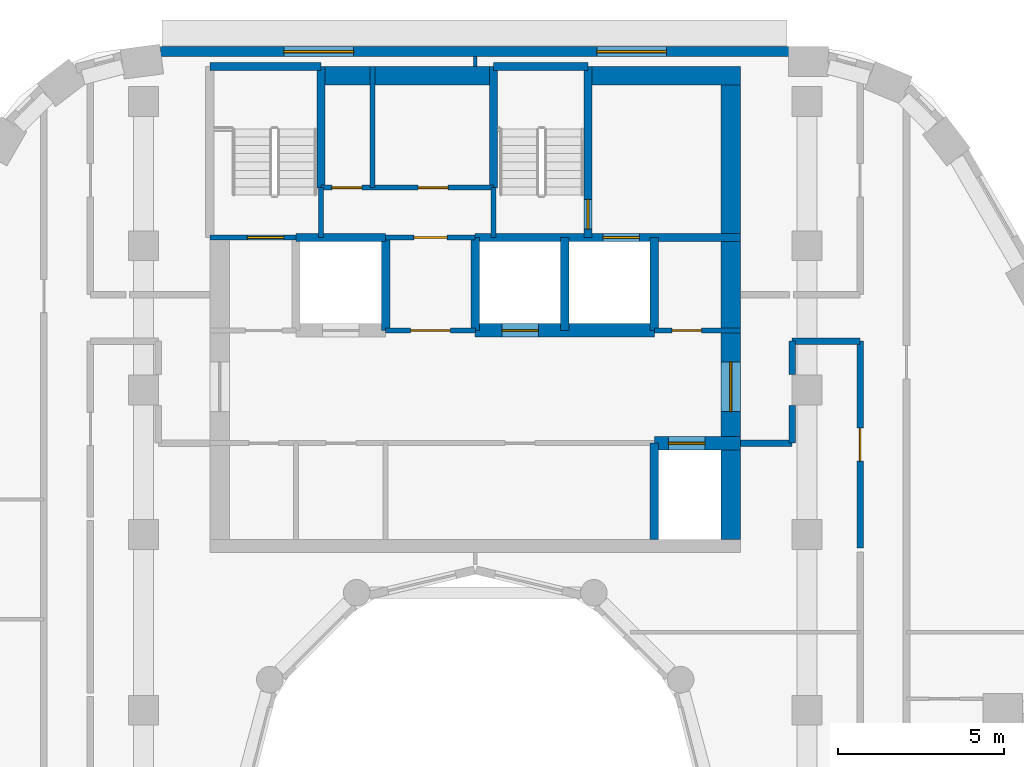
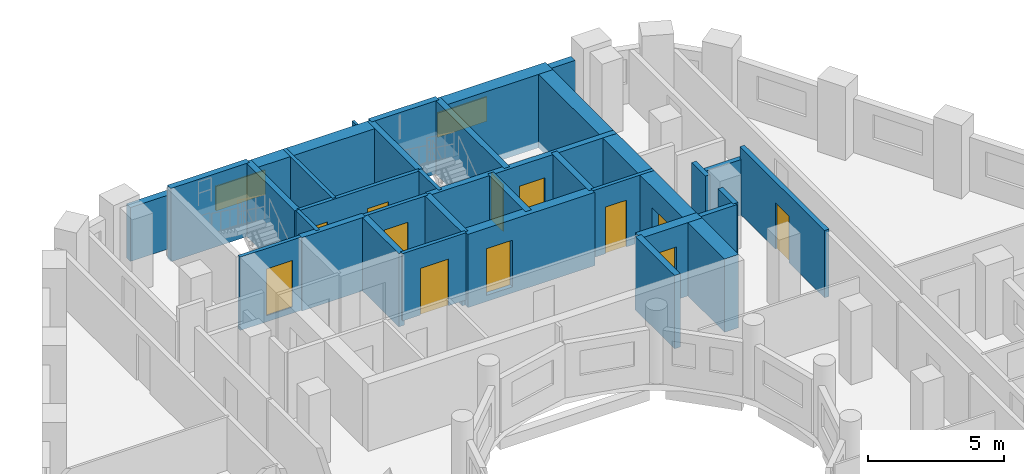
# One storey, part 8 of 15: 32 walls, 12 doors, 2 windows, 14 openings.
"""IFC4 building model written with IfcOpenShell, lengths in metres."""

from ifc_helpers import new_model, si_unit, direction, frame, frame_2d, origin, place, context, subcontext, project, spatial, rectangle, extrude, material, layer, layer_set, type_object, element, fill, save


model = new_model("IFC4")

# Units and contexts
model_context = context("Model", 3, precision=1e-05, world=origin(), true_north=direction((0.0, 1.0)))
body_context = subcontext(model_context, "Body", "Model", "MODEL_VIEW")
ifc_project = project(units=[si_unit("LENGTHUNIT", "METRE"), si_unit("AREAUNIT", "SQUARE_METRE"), si_unit("VOLUMEUNIT", "CUBIC_METRE"), si_unit("PLANEANGLEUNIT", "RADIAN"), si_unit("MASSUNIT", "GRAM", prefix="KILO")], contexts=[model_context])

# Site, building, storey
site_placement = place(None, origin())
site = spatial("IfcSite", under=ifc_project, at=site_placement, CompositionType="ELEMENT")
building_placement = place(site_placement, origin())
building = spatial("IfcBuilding", under=site, at=building_placement, Name="Nakaniwa Court", CompositionType="ELEMENT")
storey_placement = place(building_placement, frame((0.0, 0.0, 189.89990234375)))
storey = spatial("IfcBuildingStorey", under=building, at=storey_placement, Name="L49", CompositionType="ELEMENT", Elevation=189.89990234375)

# Wall, opening, door
ifc_material_1 = material(Name="Acoustic double stud partition")
ifc_layer_1 = layer(ifc_material_1, 0.199951171875)
ifc_layer_set_1 = layer_set([ifc_layer_1], Name="Acoustic double stud partition")
wall_type_1 = type_object("IfcWallType", Name="Acoustic double stud partition 200", PredefinedType="PARTITIONING", material=ifc_layer_set_1)
wall_1_placement = place(storey_placement, frame((91.60009765625, 87.537109375, 0.0), z_axis=(0.0, 0.0, 1.0), x_axis=(0.0, 1.0, 0.0)))
wall_1 = element("IfcWall", 1, at=wall_1_placement, inside=storey, type_object=wall_type_1, Name="Partition PW-072", PredefinedType="PARTITIONING", context=body_context, shape_type="SweptSolid", body=[
    extrude(rectangle(XDim=6.23779296875, YDim=0.199951171875, at=frame_2d((3.118896484375, 0.0))), origin(), (0.0, 0.0, 1.0), 3.025146484375),
])
opening_1_placement = place(wall_1_placement, frame((2.6201171875, 0.0, 0.0)))
opening_1 = element("IfcOpeningElement", 2, at=opening_1_placement, cuts=wall_1, Name="Opening D-02-08", PredefinedType="OPENING", context=body_context, shape_type="SweptSolid", body=[
    extrude(rectangle(XDim=1.0, YDim=2.10009765625, at=frame_2d((0.5, 1.050048828125))), frame((0.0, 0.10986328125, 0.0), z_axis=(0.0, -1.0, 0.0), x_axis=(1.0, 0.0, 0.0)), (0.0, 0.0, 1.0), 0.219970703125),
])
ifc_material_2 = material(Name="Solid core timber door set, black veneer", Category="wood")
door_type_1 = type_object("IfcDoorType", Name="Internal door 1000", OperationType="NOTDEFINED", PredefinedType="DOOR", material=ifc_material_2)
door_1_placement = place(opening_1_placement, origin())
door_1 = element("IfcDoor", 3, at=door_1_placement, inside=storey, type_object=door_type_1, Name="Door D-02-08 L49-048", OperationType="SINGLE_SWING_LEFT", OverallHeight=2.10009765625, OverallWidth=1.0, PredefinedType="DOOR", context=body_context, shape_type="SweptSolid", body=[
    extrude(rectangle(XDim=1.0, YDim=2.10009765625, at=frame_2d((0.5, 1.050048828125))), frame((0.0, 0.02490234375, 0.0), z_axis=(0.0, -1.0, 0.0), x_axis=(1.0, 0.0, 0.0)), (0.0, 0.0, 1.0), 0.050048828125),
])
fill(opening_1, door_1)

# Walls
wall_2_placement = place(storey_placement, frame((89.550048828125, 90.699951171875, 0.0), z_axis=(0.0, 0.0, 1.0), x_axis=(0.0, 1.0, 0.0)))
element("IfcWall", 4, at=wall_2_placement, inside=storey, type_object=wall_type_1, Name="Partition PW-083", PredefinedType="PARTITIONING", context=body_context, shape_type="SweptSolid", body=[
    extrude(rectangle(XDim=1.1328125, YDim=0.199951171875, at=frame_2d((0.56640625, 0.0))), origin(), (0.0, 0.0, 1.0), 3.025146484375),
])
wall_3_placement = place(storey_placement, frame((89.550048828125, 92.76708984375, 0.0), z_axis=(0.0, 0.0, 1.0), x_axis=(0.0, 1.0, 0.0)))
element("IfcWall", 5, at=wall_3_placement, inside=storey, type_object=wall_type_1, Name="Partition PW-084", PredefinedType="PARTITIONING", context=body_context, shape_type="SweptSolid", body=[
    extrude(rectangle(XDim=1.0078125, YDim=0.199951171875, at=frame_2d((0.50390625, 0.0))), origin(), (0.0, 0.0, 1.0), 3.025146484375),
])
wall_4_placement = place(storey_placement, frame((89.550048828125, 93.77490234375, 0.0), z_axis=(0.0, 0.0, 1.0), x_axis=(1.0, 0.0, 0.0)))
element("IfcWall", 6, at=wall_4_placement, inside=storey, type_object=wall_type_1, Name="Partition PW-088", PredefinedType="PARTITIONING", context=body_context, shape_type="SweptSolid", body=[
    extrude(rectangle(XDim=2.050048828125, YDim=0.199951171875, at=frame_2d((1.02490234375, 0.0))), origin(), (0.0, 0.0, 1.0), 2.505126953125),
])
wall_5_placement = place(storey_placement, frame((88.0, 90.699951171875, 0.0), z_axis=(0.0, 0.0, 1.0), x_axis=(1.0, 0.0, 0.0)))
element("IfcWall", 7, at=wall_5_placement, inside=storey, type_object=wall_type_1, Name="Partition PW-090", PredefinedType="PARTITIONING", context=body_context, shape_type="SweptSolid", body=[
    extrude(rectangle(XDim=1.550048828125, YDim=0.199951171875, at=frame_2d((0.77490234375, 0.0))), origin(), (0.0, 0.0, 1.0), 3.025146484375),
])

# Wall, openings, windows
ifc_material_3 = material(Name="Charcoal ceramic cladding")
ifc_layer_2 = layer(ifc_material_3, 0.02, Name="Ceramic cladding")
ifc_material_4 = material(Name="Ventilated air cavity")
ifc_layer_3 = layer(ifc_material_4, 0.04, ventilated=True, Name="Ventilated cavity")
ifc_material_5 = material(Name="Mineral wool insulation")
ifc_layer_4 = layer(ifc_material_5, 0.1, Name="Insulation")
ifc_material_6 = material(Name="Cement bonded sheathing board")
ifc_layer_5 = layer(ifc_material_6, 0.012, Name="Sheathing")
ifc_material_7 = material(Name="Cold-formed galvanised stud frame with mineral wool infill")
ifc_layer_6 = layer(ifc_material_7, 0.1, Name="Stud frame")
ifc_material_8 = material(Name="Fire-rated gypsum plasterboard lining")
ifc_layer_7 = layer(ifc_material_8, 0.028, Name="Lining")
ifc_layer_set_2 = layer_set([ifc_layer_2, ifc_layer_3, ifc_layer_4, ifc_layer_5, ifc_layer_6, ifc_layer_7], Name="Charcoal ceramic faced external wall system")
wall_type_2 = type_object("IfcWallType", Name="Black ceramic faced external wall 300", PredefinedType="SOLIDWALL", material=ifc_layer_set_2)
wall_6_placement = place(storey_placement, frame((89.44921875, 102.5, 0.0), z_axis=(0.0, 0.0, 1.0), x_axis=(-1.0, 0.0, 0.0)))
wall_6 = element("IfcWall", 8, at=wall_6_placement, inside=storey, type_object=wall_type_2, Name="L49 external wall 08", PredefinedType="SOLIDWALL", context=body_context, shape_type="SweptSolid", body=[
    extrude(rectangle(XDim=18.932861328125, YDim=0.300048828125, at=frame_2d((9.46630859375, 0.0))), origin(), (0.0, 0.0, 1.0), 2.425048828125),
])
opening_2_placement = place(wall_6_placement, frame((3.6865234375, 0.0, 0.89990234375)))
opening_2 = element("IfcOpeningElement", 9, at=opening_2_placement, cuts=wall_6, Name="Opening W7.08", PredefinedType="OPENING", context=body_context, shape_type="SweptSolid", body=[
    extrude(rectangle(XDim=2.10009765625, YDim=1.10009765625, at=frame_2d((1.050048828125, 0.550048828125))), frame((0.0, 0.159912109375, 0.0), z_axis=(0.0, -1.0, 0.0), x_axis=(1.0, 0.0, 0.0)), (0.0, 0.0, 1.0), 0.320068359375),
])
opening_3_placement = place(wall_6_placement, frame((13.117919921875, 0.0, 0.89990234375)))
opening_3 = element("IfcOpeningElement", 10, at=opening_3_placement, cuts=wall_6, Name="Opening W7.09", PredefinedType="OPENING", context=body_context, shape_type="SweptSolid", body=[
    extrude(rectangle(XDim=2.10009765625, YDim=1.10009765625, at=frame_2d((1.050048828125, 0.550048828125))), frame((0.0, 0.159912109375, 0.0), z_axis=(0.0, -1.0, 0.0), x_axis=(1.0, 0.0, 0.0)), (0.0, 0.0, 1.0), 0.320068359375),
])
ifc_material_9 = material(Name="Black anodised aluminium frame with dark low-E laminated double glazing", Category="aluminium")
window_type = type_object("IfcWindowType", Name="Dark glass window 2100x1100 sill 900", PartitioningType="SINGLE_PANEL", PredefinedType="WINDOW", material=ifc_material_9)
window_1_placement = place(opening_2_placement, origin())
window_1 = element("IfcWindow", 11, at=window_1_placement, inside=storey, type_object=window_type, Name="L49 habitable room window 08-0", OverallHeight=1.10009765625, OverallWidth=2.10009765625, PartitioningType="SINGLE_PANEL", PredefinedType="WINDOW", context=body_context, shape_type="SweptSolid", body=[
    extrude(rectangle(XDim=2.10009765625, YDim=1.10009765625, at=frame_2d((1.050048828125, 0.550048828125))), frame((0.0, 0.030029296875, 0.0), z_axis=(0.0, -1.0, 0.0), x_axis=(1.0, 0.0, 0.0)), (0.0, 0.0, 1.0), 0.06005859375),
])
fill(opening_2, window_1)
window_2_placement = place(opening_3_placement, origin())
window_2 = element("IfcWindow", 12, at=window_2_placement, inside=storey, type_object=window_type, Name="L49 habitable room window 08-1", OverallHeight=1.10009765625, OverallWidth=2.10009765625, PartitioningType="SINGLE_PANEL", PredefinedType="WINDOW", context=body_context, shape_type="SweptSolid", body=[
    extrude(rectangle(XDim=2.10009765625, YDim=1.10009765625, at=frame_2d((1.050048828125, 0.550048828125))), frame((0.0, 0.030029296875, 0.0), z_axis=(0.0, -1.0, 0.0), x_axis=(1.0, 0.0, 0.0)), (0.0, 0.0, 1.0), 0.06005859375),
])
fill(opening_3, window_2)

# Wall, opening, door
ifc_material_10 = material(Name="Blockwork partition", Category="masonry")
ifc_layer_8 = layer(ifc_material_10, 0.14990234375)
ifc_layer_set_3 = layer_set([ifc_layer_8], Name="Blockwork partition")
wall_type_3 = type_object("IfcWallType", Name="Blockwork partition 150", PredefinedType="PARTITIONING", material=ifc_layer_set_3)
wall_7_placement = place(storey_placement, frame((77.297119140625, 94.10009765625, 0.0), z_axis=(0.0, 0.0, 1.0), x_axis=(1.0, 0.0, 0.0)))
wall_7 = element("IfcWall", 13, at=wall_7_placement, inside=storey, type_object=wall_type_3, Name="Partition PW-010", PredefinedType="PARTITIONING", context=body_context, shape_type="SweptSolid", body=[
    extrude(rectangle(XDim=2.705810546875, YDim=0.14990234375, at=frame_2d((1.35302734375, 0.0))), origin(), (0.0, 0.0, 1.0), 3.025146484375),
])
opening_4_placement = place(wall_7_placement, frame((0.7529296875, 0.0, 0.0)))
opening_4 = element("IfcOpeningElement", 14, at=opening_4_placement, cuts=wall_7, Name="Opening D-06-01", PredefinedType="OPENING", context=body_context, shape_type="SweptSolid", body=[
    extrude(rectangle(XDim=1.199951171875, YDim=2.10009765625, at=frame_2d((0.60009765625, 1.050048828125))), frame((0.0, 0.0849609375, 0.0), z_axis=(0.0, -1.0, 0.0), x_axis=(1.0, 0.0, 0.0)), (0.0, 0.0, 1.0), 0.169921875),
])
ifc_material_11 = material(Name="Fire rated steel double door set", Category="steel")
door_type_2 = type_object("IfcDoorType", Name="Service passage double door 1200", OperationType="NOTDEFINED", PredefinedType="DOOR", material=ifc_material_11)
door_2_placement = place(opening_4_placement, origin())
door_2 = element("IfcDoor", 15, at=door_2_placement, inside=storey, type_object=door_type_2, Name="Door D-06-01 L49-005", OperationType="DOUBLE_DOOR_SINGLE_SWING", OverallHeight=2.10009765625, OverallWidth=1.199951171875, PredefinedType="DOOR", context=body_context, shape_type="SweptSolid", body=[
    extrude(rectangle(XDim=1.199951171875, YDim=2.10009765625, at=frame_2d((0.60009765625, 1.050048828125))), frame((0.0, 0.02490234375, 0.0), z_axis=(0.0, -1.0, 0.0), x_axis=(1.0, 0.0, 0.0)), (0.0, 0.0, 1.0), 0.050048828125),
])
fill(opening_4, door_2)

wall_8_placement = place(storey_placement, frame((85.39697265625, 94.10009765625, 0.0), z_axis=(0.0, 0.0, 1.0), x_axis=(1.0, 0.0, 0.0)))
wall_8 = element("IfcWall", 16, at=wall_8_placement, inside=storey, type_object=wall_type_3, Name="Partition PW-011", PredefinedType="PARTITIONING", context=body_context, shape_type="SweptSolid", body=[
    extrude(rectangle(XDim=2.60302734375, YDim=0.14990234375, at=frame_2d((1.301513671875, 0.0))), origin(), (0.0, 0.0, 1.0), 3.025146484375),
])
opening_5_placement = place(wall_8_placement, frame((0.528076171875, 0.0, 0.0)))
opening_5 = element("IfcOpeningElement", 17, at=opening_5_placement, cuts=wall_8, Name="Opening D-05-04", PredefinedType="OPENING", context=body_context, shape_type="SweptSolid", body=[
    extrude(rectangle(XDim=0.89990234375, YDim=2.10009765625, at=frame_2d((0.449951171875, 1.050048828125))), frame((0.0, 0.0849609375, 0.0), z_axis=(0.0, -1.0, 0.0), x_axis=(1.0, 0.0, 0.0)), (0.0, 0.0, 1.0), 0.169921875),
])
ifc_material_12 = material(Name="Fire rated steel door set", Category="steel")
door_type_3 = type_object("IfcDoorType", Name="Service room door 900", OperationType="NOTDEFINED", PredefinedType="DOOR", material=ifc_material_12)
door_3_placement = place(opening_5_placement, origin())
door_3 = element("IfcDoor", 18, at=door_3_placement, inside=storey, type_object=door_type_3, Name="Door D-05-04 L49-006", OperationType="SINGLE_SWING_LEFT", OverallHeight=2.10009765625, OverallWidth=0.89990234375, PredefinedType="DOOR", context=body_context, shape_type="SweptSolid", body=[
    extrude(rectangle(XDim=0.89990234375, YDim=2.10009765625, at=frame_2d((0.449951171875, 1.050048828125))), frame((0.0, 0.02490234375, 0.0), z_axis=(0.0, -1.0, 0.0), x_axis=(1.0, 0.0, 0.0)), (0.0, 0.0, 1.0), 0.050048828125),
])
fill(opening_5, door_3)

wall_9_placement = place(storey_placement, frame((77.300048828125, 96.89990234375, 0.0), z_axis=(0.0, 0.0, 1.0), x_axis=(1.0, 0.0, 0.0)))
wall_9 = element("IfcWall", 19, at=wall_9_placement, inside=storey, type_object=wall_type_3, Name="Partition PW-020", PredefinedType="PARTITIONING", context=body_context, shape_type="SweptSolid", body=[
    extrude(rectangle(XDim=2.699951171875, YDim=0.14990234375, at=frame_2d((1.35009765625, 0.0))), origin(), (0.0, 0.0, 1.0), 3.025146484375),
])
opening_6_placement = place(wall_9_placement, frame((0.85009765625, 0.0, 0.0)))
opening_6 = element("IfcOpeningElement", 20, at=opening_6_placement, cuts=wall_9, Name="Opening D-23-01", PredefinedType="OPENING", context=body_context, shape_type="SweptSolid", body=[
    extrude(rectangle(XDim=1.0, YDim=2.10009765625, at=frame_2d((0.5, 1.050048828125))), frame((0.0, 0.0849609375, 0.0), z_axis=(0.0, -1.0, 0.0), x_axis=(1.0, 0.0, 0.0)), (0.0, 0.0, 1.0), 0.169921875),
])
door_type_4 = type_object("IfcDoorType", Name="Service room door 1000", OperationType="NOTDEFINED", PredefinedType="DOOR", material=ifc_material_12)
door_4_placement = place(opening_6_placement, origin())
door_4 = element("IfcDoor", 21, at=door_4_placement, inside=storey, type_object=door_type_4, Name="Door D-23-01 L49-007", OperationType="SINGLE_SWING_RIGHT", OverallHeight=2.10009765625, OverallWidth=1.0, PredefinedType="DOOR", context=body_context, shape_type="SweptSolid", body=[
    extrude(rectangle(XDim=1.0, YDim=2.10009765625, at=frame_2d((0.5, 1.050048828125))), frame((0.0, 0.02490234375, 0.0), z_axis=(0.0, -1.0, 0.0), x_axis=(1.0, 0.0, 0.0)), (0.0, 0.0, 1.0), 0.050048828125),
])
fill(opening_6, door_4)

# Wall, openings, doors
wall_10_placement = place(storey_placement, frame((75.35009765625, 98.39990234375, 0.0), z_axis=(0.0, 0.0, 1.0), x_axis=(1.0, 0.0, 0.0)))
wall_10 = element("IfcWall", 22, at=wall_10_placement, inside=storey, type_object=wall_type_3, Name="Partition PW-032", PredefinedType="PARTITIONING", context=body_context, shape_type="SweptSolid", body=[
    extrude(rectangle(XDim=5.199951171875, YDim=0.14990234375, at=frame_2d((2.60009765625, 0.0))), origin(), (0.0, 0.0, 1.0), 3.025146484375),
])
opening_7_placement = place(wall_10_placement, frame((0.330078125, 0.0, 0.0)))
opening_7 = element("IfcOpeningElement", 23, at=opening_7_placement, cuts=wall_10, Name="Opening D-05-05", PredefinedType="OPENING", context=body_context, shape_type="SweptSolid", body=[
    extrude(rectangle(XDim=0.89990234375, YDim=2.10009765625, at=frame_2d((0.449951171875, 1.050048828125))), frame((0.0, 0.0849609375, 0.0), z_axis=(0.0, -1.0, 0.0), x_axis=(1.0, 0.0, 0.0)), (0.0, 0.0, 1.0), 0.169921875),
])
opening_8_placement = place(wall_10_placement, frame((2.929931640625, 0.0, 0.0)))
opening_8 = element("IfcOpeningElement", 24, at=opening_8_placement, cuts=wall_10, Name="Opening D-05-06", PredefinedType="OPENING", context=body_context, shape_type="SweptSolid", body=[
    extrude(rectangle(XDim=0.89990234375, YDim=2.10009765625, at=frame_2d((0.449951171875, 1.050048828125))), frame((0.0, 0.0849609375, 0.0), z_axis=(0.0, -1.0, 0.0), x_axis=(1.0, 0.0, 0.0)), (0.0, 0.0, 1.0), 0.169921875),
])
door_5_placement = place(opening_7_placement, origin())
door_5 = element("IfcDoor", 25, at=door_5_placement, inside=storey, type_object=door_type_3, Name="Door D-05-05 L49-008", OperationType="SINGLE_SWING_LEFT", OverallHeight=2.10009765625, OverallWidth=0.89990234375, PredefinedType="DOOR", context=body_context, shape_type="SweptSolid", body=[
    extrude(rectangle(XDim=0.89990234375, YDim=2.10009765625, at=frame_2d((0.449951171875, 1.050048828125))), frame((0.0, 0.02490234375, 0.0), z_axis=(0.0, -1.0, 0.0), x_axis=(1.0, 0.0, 0.0)), (0.0, 0.0, 1.0), 0.050048828125),
])
fill(opening_7, door_5)
door_6_placement = place(opening_8_placement, origin())
door_6 = element("IfcDoor", 26, at=door_6_placement, inside=storey, type_object=door_type_3, Name="Door D-05-06 L49-009", OperationType="SINGLE_SWING_RIGHT", OverallHeight=2.10009765625, OverallWidth=0.89990234375, PredefinedType="DOOR", context=body_context, shape_type="SweptSolid", body=[
    extrude(rectangle(XDim=0.89990234375, YDim=2.10009765625, at=frame_2d((0.449951171875, 1.050048828125))), frame((0.0, 0.02490234375, 0.0), z_axis=(0.0, -1.0, 0.0), x_axis=(1.0, 0.0, 0.0)), (0.0, 0.0, 1.0), 0.050048828125),
])
fill(opening_8, door_6)

# Wall
wall_11_placement = place(storey_placement, frame((76.909912109375, 98.39990234375, 0.0), z_axis=(0.0, 0.0, 1.0), x_axis=(0.0, 1.0, 0.0)))
element("IfcWall", 27, at=wall_11_placement, inside=storey, type_object=wall_type_3, Name="Partition PW-033", PredefinedType="PARTITIONING", context=body_context, shape_type="SweptSolid", body=[
    extrude(rectangle(XDim=3.650146484375, YDim=0.14990234375, at=frame_2d((1.8251953125, 0.0))), origin(), (0.0, 0.0, 1.0), 3.025146484375),
])

# Wall, opening, door
ifc_material_13 = material(Name="Concrete C80/100", Category="concrete")
ifc_layer_9 = layer(ifc_material_13, 0.60009765625)
ifc_layer_set_4 = layer_set([ifc_layer_9], Name="Concrete C80/100")
wall_type_4 = type_object("IfcWallType", Name="Concrete core side wall 600 C80", PredefinedType="SHEAR", material=ifc_layer_set_4)
wall_12_placement = place(storey_placement, frame((87.699951171875, 102.050048828125, -0.27490234375), z_axis=(0.0, 0.0, 1.0), x_axis=(0.0, -1.0, 0.0)))
wall_12 = element("IfcWall", 28, at=wall_12_placement, inside=storey, type_object=wall_type_4, Name="Core wall SW-07", PredefinedType="SHEAR", context=body_context, shape_type="SweptSolid", body=[
    extrude(rectangle(XDim=14.25, YDim=0.60009765625, at=frame_2d((7.125, 0.0))), origin(), (0.0, 0.0, 1.0), 3.300048828125),
])
opening_9_placement = place(wall_12_placement, frame((8.89794921875, 0.0, 0.27490234375)))
opening_9 = element("IfcOpeningElement", 29, at=opening_9_placement, cuts=wall_12, Name="Opening D-07-01", PredefinedType="OPENING", context=body_context, shape_type="SweptSolid", body=[
    extrude(rectangle(XDim=1.5, YDim=2.10009765625, at=frame_2d((0.75, 1.050048828125))), frame((0.0, 0.31005859375, 0.0), z_axis=(0.0, -1.0, 0.0), x_axis=(1.0, 0.0, 0.0)), (0.0, 0.0, 1.0), 0.6201171875),
])
ifc_material_14 = material(Name="Glazed fire rated steel double door set", Category="steel")
door_type_5 = type_object("IfcDoorType", Name="Lobby double door 1500", OperationType="NOTDEFINED", PredefinedType="DOOR", material=ifc_material_14)
door_7_placement = place(opening_9_placement, origin())
door_7 = element("IfcDoor", 30, at=door_7_placement, inside=storey, type_object=door_type_5, Name="Door D-07-01 L49-052", OperationType="DOUBLE_DOOR_SINGLE_SWING", OverallHeight=2.10009765625, OverallWidth=1.5, PredefinedType="DOOR", context=body_context, shape_type="SweptSolid", body=[
    extrude(rectangle(XDim=1.5, YDim=2.10009765625, at=frame_2d((0.75, 1.050048828125))), frame((0.0, 0.02490234375, 0.0), z_axis=(0.0, -1.0, 0.0), x_axis=(1.0, 0.0, 0.0)), (0.0, 0.0, 1.0), 0.050048828125),
])
fill(opening_9, door_7)

ifc_layer_10 = layer(ifc_material_13, 0.39990234375)
ifc_layer_set_5 = layer_set([ifc_layer_10], Name="Concrete C80/100")
wall_type_5 = type_object("IfcWallType", Name="Concrete core spine wall 400 C80", PredefinedType="SHEAR", material=ifc_layer_set_5)
wall_13_placement = place(storey_placement, frame((85.39990234375, 90.699951171875, -0.27490234375), z_axis=(0.0, 0.0, 1.0), x_axis=(1.0, 0.0, 0.0)))
wall_13 = element("IfcWall", 31, at=wall_13_placement, inside=storey, type_object=wall_type_5, Name="Core wall SW-06", PredefinedType="SHEAR", context=body_context, shape_type="SweptSolid", body=[
    extrude(rectangle(XDim=2.60009765625, YDim=0.39990234375, at=frame_2d((1.300048828125, 0.0))), origin(), (0.0, 0.0, 1.0), 3.300048828125),
])
opening_10_placement = place(wall_13_placement, frame((0.425048828125, 0.0, 0.27490234375)))
opening_10 = element("IfcOpeningElement", 32, at=opening_10_placement, cuts=wall_13, Name="Opening LD01", PredefinedType="OPENING", context=body_context, shape_type="SweptSolid", body=[
    extrude(rectangle(XDim=1.10009765625, YDim=2.10009765625, at=frame_2d((0.550048828125, 1.050048828125))), frame((0.0, 0.2099609375, 0.0), z_axis=(0.0, -1.0, 0.0), x_axis=(1.0, 0.0, 0.0)), (0.0, 0.0, 1.0), 0.419921875),
])
ifc_material_15 = material(Name="Stainless steel sliding lift landing door", Category="steel")
door_type_6 = type_object("IfcDoorType", Name="Lift landing door 1100", OperationType="NOTDEFINED", PredefinedType="DOOR", material=ifc_material_15)
door_8_placement = place(opening_10_placement, origin())
door_8 = element("IfcDoor", 33, at=door_8_placement, inside=storey, type_object=door_type_6, Name="Lift landing door LD01 L49-001", OperationType="SLIDING_TO_LEFT", OverallHeight=2.10009765625, OverallWidth=1.10009765625, PredefinedType="DOOR", context=body_context, shape_type="SweptSolid", body=[
    extrude(rectangle(XDim=1.10009765625, YDim=2.10009765625, at=frame_2d((0.550048828125, 1.050048828125))), frame((0.0, 0.02490234375, 0.0), z_axis=(0.0, -1.0, 0.0), x_axis=(1.0, 0.0, 0.0)), (0.0, 0.0, 1.0), 0.050048828125),
])
fill(opening_10, door_8)

wall_14_placement = place(storey_placement, frame((79.9970703125, 94.10009765625, -0.27490234375), z_axis=(0.0, 0.0, 1.0), x_axis=(1.0, 0.0, 0.0)))
wall_14 = element("IfcWall", 34, at=wall_14_placement, inside=storey, type_object=wall_type_5, Name="Core wall SW-13", PredefinedType="SHEAR", context=body_context, shape_type="SweptSolid", body=[
    extrude(rectangle(XDim=5.406005859375, YDim=0.39990234375, at=frame_2d((2.703125, 0.0))), origin(), (0.0, 0.0, 1.0), 3.300048828125),
])
opening_11_placement = place(wall_14_placement, frame((0.802978515625, 0.0, 0.27490234375)))
opening_11 = element("IfcOpeningElement", 35, at=opening_11_placement, cuts=wall_14, Name="Opening LD03", PredefinedType="OPENING", context=body_context, shape_type="SweptSolid", body=[
    extrude(rectangle(XDim=1.10009765625, YDim=2.10009765625, at=frame_2d((0.550048828125, 1.050048828125))), frame((0.0, 0.2099609375, 0.0), z_axis=(0.0, -1.0, 0.0), x_axis=(1.0, 0.0, 0.0)), (0.0, 0.0, 1.0), 0.419921875),
])
door_9_placement = place(opening_11_placement, origin())
door_9 = element("IfcDoor", 36, at=door_9_placement, inside=storey, type_object=door_type_6, Name="Lift landing door LD03 L49-003", OperationType="SLIDING_TO_LEFT", OverallHeight=2.10009765625, OverallWidth=1.10009765625, PredefinedType="DOOR", context=body_context, shape_type="SweptSolid", body=[
    extrude(rectangle(XDim=1.10009765625, YDim=2.10009765625, at=frame_2d((0.550048828125, 1.050048828125))), frame((0.0, 0.02490234375, 0.0), z_axis=(0.0, -1.0, 0.0), x_axis=(1.0, 0.0, 0.0)), (0.0, 0.0, 1.0), 0.050048828125),
])
fill(opening_11, door_9)

ifc_layer_11 = layer(ifc_material_13, 0.14990234375)
ifc_layer_set_6 = layer_set([ifc_layer_11], Name="Concrete C80/100")
wall_type_6 = type_object("IfcWallType", Name="Concrete core wall 150 C80", PredefinedType="SHEAR", material=ifc_layer_set_6)
wall_15_placement = place(storey_placement, frame((74.60009765625, 96.89990234375, -0.27490234375), z_axis=(0.0, 0.0, 1.0), x_axis=(-1.0, 0.0, 0.0)))
wall_15 = element("IfcWall", 37, at=wall_15_placement, inside=storey, type_object=wall_type_6, Name="Core wall SW-15", PredefinedType="SHEAR", context=body_context, shape_type="SweptSolid", body=[
    extrude(rectangle(XDim=2.60009765625, YDim=0.14990234375, at=frame_2d((1.300048828125, 0.0))), origin(), (0.0, 0.0, 1.0), 3.300048828125),
])
opening_12_placement = place(wall_15_placement, frame((0.3701171875, 0.0, 0.27490234375)))
opening_12 = element("IfcOpeningElement", 38, at=opening_12_placement, cuts=wall_15, Name="Opening D-09-01", PredefinedType="OPENING", context=body_context, shape_type="SweptSolid", body=[
    extrude(rectangle(XDim=1.10009765625, YDim=2.10009765625, at=frame_2d((0.550048828125, 1.050048828125))), frame((0.0, 0.0849609375, 0.0), z_axis=(0.0, -1.0, 0.0), x_axis=(1.0, 0.0, 0.0)), (0.0, 0.0, 1.0), 0.169921875),
])
door_type_7 = type_object("IfcDoorType", Name="Stair door 1100", OperationType="NOTDEFINED", PredefinedType="DOOR", material=ifc_material_12)
door_10_placement = place(opening_12_placement, origin())
door_10 = element("IfcDoor", 39, at=door_10_placement, inside=storey, type_object=door_type_7, Name="Door D-09-01 L49-010", OperationType="SINGLE_SWING_RIGHT", OverallHeight=2.10009765625, OverallWidth=1.10009765625, PredefinedType="DOOR", context=body_context, shape_type="SweptSolid", body=[
    extrude(rectangle(XDim=1.10009765625, YDim=2.10009765625, at=frame_2d((0.550048828125, 1.050048828125))), frame((0.0, 0.02490234375, 0.0), z_axis=(0.0, -1.0, 0.0), x_axis=(1.0, 0.0, 0.0)), (0.0, 0.0, 1.0), 0.050048828125),
])
fill(opening_12, door_10)

# Walls
for number, where, z_axis, x_axis, name in (
    (40, (75.35009765625, 96.89990234375, -0.27490234375), (0.0, 0.0, 1.0), (0.0, 1.0, 0.0), "Core wall SW-22"),
    (41, (80.550048828125, 96.89990234375, -0.27490234375), (0.0, 0.0, 1.0), (0.0, 1.0, 0.0), "Core wall SW-28"),
):
    element("IfcWall", number, at=place(storey_placement, frame(where, z_axis=z_axis, x_axis=x_axis)), inside=storey, type_object=wall_type_6, Name=name, PredefinedType="SHEAR", context=body_context, shape_type="SweptSolid", body=[
        extrude(rectangle(XDim=1.503173828125, YDim=0.14990234375, at=frame_2d((0.75146484375, 0.0))), origin(), (0.0, 0.0, 1.0), 3.300048828125),
    ])
ifc_layer_12 = layer(ifc_material_13, 0.25)
ifc_layer_set_7 = layer_set([ifc_layer_12], Name="Concrete C80/100")
wall_type_7 = type_object("IfcWallType", Name="Concrete core wall 250 C80", PredefinedType="SHEAR", material=ifc_layer_set_7)
wall_16_placement = place(storey_placement, frame((72.0, 102.050048828125, -0.27490234375), z_axis=(0.0, 0.0, 1.0), x_axis=(1.0, 0.0, 0.0)))
element("IfcWall", 42, at=wall_16_placement, inside=storey, type_object=wall_type_7, Name="Core wall SW-24", PredefinedType="SHEAR", context=body_context, shape_type="SweptSolid", body=[
    extrude(rectangle(XDim=3.35009765625, YDim=0.25, at=frame_2d((1.675048828125, 0.0))), origin(), (0.0, 0.0, 1.0), 3.300048828125),
])
wall_17_placement = place(storey_placement, frame((80.550048828125, 102.050048828125, -0.27490234375), z_axis=(0.0, 0.0, 1.0), x_axis=(1.0, 0.0, 0.0)))
element("IfcWall", 43, at=wall_17_placement, inside=storey, type_object=wall_type_7, Name="Core wall SW-25", PredefinedType="SHEAR", context=body_context, shape_type="SweptSolid", body=[
    extrude(rectangle(XDim=2.849853515625, YDim=0.25, at=frame_2d((1.4248046875, 0.0))), origin(), (0.0, 0.0, 1.0), 3.300048828125),
])
ifc_layer_13 = layer(ifc_material_13, 0.550048828125)
ifc_layer_set_8 = layer_set([ifc_layer_13], Name="Concrete C80/100")
wall_type_8 = type_object("IfcWallType", Name="Concrete core wall 550 C80", PredefinedType="SHEAR", material=ifc_layer_set_8)
wall_18_placement = place(storey_placement, frame((75.35009765625, 101.77490234375, -0.27490234375), z_axis=(0.0, 0.0, 1.0), x_axis=(1.0, 0.0, 0.0)))
element("IfcWall", 44, at=wall_18_placement, inside=storey, type_object=wall_type_8, Name="Core wall SW-30", PredefinedType="SHEAR", context=body_context, shape_type="SweptSolid", body=[
    extrude(rectangle(XDim=5.199951171875, YDim=0.550048828125, at=frame_2d((2.60009765625, 0.0))), origin(), (0.0, 0.0, 1.0), 3.300048828125),
])
wall_19_placement = place(storey_placement, frame((83.39990234375, 101.77490234375, -0.27490234375), z_axis=(0.0, 0.0, 1.0), x_axis=(1.0, 0.0, 0.0)))
element("IfcWall", 45, at=wall_19_placement, inside=storey, type_object=wall_type_8, Name="Core wall SW-31", PredefinedType="SHEAR", context=body_context, shape_type="SweptSolid", body=[
    extrude(rectangle(XDim=4.60009765625, YDim=0.550048828125, at=frame_2d((2.300048828125, 0.0))), origin(), (0.0, 0.0, 1.0), 3.300048828125),
])
ifc_layer_14 = layer(ifc_material_13, 0.25)
ifc_layer_set_9 = layer_set([ifc_layer_14], Name="Concrete C80/100")
wall_type_9 = type_object("IfcWallType", Name="Concrete shaft wall 250 C80", PredefinedType="SHEAR", material=ifc_layer_set_9)
wall_20_placement = place(storey_placement, frame((85.39990234375, 87.800048828125, -0.27490234375), z_axis=(0.0, 0.0, 1.0), x_axis=(0.0, 1.0, 0.0)))
element("IfcWall", 46, at=wall_20_placement, inside=storey, type_object=wall_type_9, Name="Core wall SW-04", PredefinedType="SHEAR", context=body_context, shape_type="SweptSolid", body=[
    extrude(rectangle(XDim=2.89990234375, YDim=0.25, at=frame_2d((1.449951171875, 0.0))), origin(), (0.0, 0.0, 1.0), 3.300048828125),
])
for number, where, z_axis, x_axis, name in (
    (47, (85.39990234375, 94.10009765625, -0.27490234375), (0.0, 0.0, 1.0), (0.0, 1.0, 0.0), "Core wall SW-05"),
    (48, (77.300048828125, 94.10009765625, -0.27490234375), (0.0, 0.0, 1.0), (0.0, 1.0, 0.0), "Core wall SW-16"),
):
    element("IfcWall", number, at=place(storey_placement, frame(where, z_axis=z_axis, x_axis=x_axis)), inside=storey, type_object=wall_type_9, Name=name, PredefinedType="SHEAR", context=body_context, shape_type="SweptSolid", body=[
        extrude(rectangle(XDim=2.7998046875, YDim=0.25, at=frame_2d((1.39990234375, 0.0))), origin(), (0.0, 0.0, 1.0), 3.300048828125),
    ])
wall_21_placement = place(storey_placement, frame((74.60009765625, 96.89990234375, -0.27490234375), z_axis=(0.0, 0.0, 1.0), x_axis=(1.0, 0.0, 0.0)))
element("IfcWall", 49, at=wall_21_placement, inside=storey, type_object=wall_type_9, Name="Core wall SW-17", PredefinedType="SHEAR", context=body_context, shape_type="SweptSolid", body=[
    extrude(rectangle(XDim=2.699951171875, YDim=0.25, at=frame_2d((1.35009765625, 0.0))), origin(), (0.0, 0.0, 1.0), 3.300048828125),
])

# Wall, opening, door
wall_22_placement = place(storey_placement, frame((80.0, 96.89990234375, -0.27490234375), z_axis=(0.0, 0.0, 1.0), x_axis=(1.0, 0.0, 0.0)))
wall_22 = element("IfcWall", 50, at=wall_22_placement, inside=storey, type_object=wall_type_9, Name="Core wall SW-18", PredefinedType="SHEAR", context=body_context, shape_type="SweptSolid", body=[
    extrude(rectangle(XDim=8.0, YDim=0.25, at=frame_2d((4.0, 0.0))), origin(), (0.0, 0.0, 1.0), 3.300048828125),
])
opening_13_placement = place(wall_22_placement, frame((3.84912109375, 0.0, 0.27490234375)))
opening_13 = element("IfcOpeningElement", 51, at=opening_13_placement, cuts=wall_22, Name="Opening LD04", PredefinedType="OPENING", context=body_context, shape_type="SweptSolid", body=[
    extrude(rectangle(XDim=1.10009765625, YDim=2.10009765625, at=frame_2d((0.550048828125, 1.050048828125))), frame((0.0, 0.135009765625, 0.0), z_axis=(0.0, -1.0, 0.0), x_axis=(1.0, 0.0, 0.0)), (0.0, 0.0, 1.0), 0.27001953125),
])
door_11_placement = place(opening_13_placement, origin())
door_11 = element("IfcDoor", 52, at=door_11_placement, inside=storey, type_object=door_type_6, Name="Lift landing door LD04 L49-004", OperationType="SLIDING_TO_LEFT", OverallHeight=2.10009765625, OverallWidth=1.10009765625, PredefinedType="DOOR", context=body_context, shape_type="SweptSolid", body=[
    extrude(rectangle(XDim=1.10009765625, YDim=2.10009765625, at=frame_2d((0.550048828125, 1.050048828125))), frame((0.0, 0.02490234375, 0.0), z_axis=(0.0, -1.0, 0.0), x_axis=(1.0, 0.0, 0.0)), (0.0, 0.0, 1.0), 0.050048828125),
])
fill(opening_13, door_11)

# Walls
for number, where, z_axis, x_axis, name in (
    (53, (80.0, 94.10009765625, -0.27490234375), (0.0, 0.0, 1.0), (0.0, 1.0, 0.0), "Core wall SW-19"),
    (54, (82.699951171875, 94.10009765625, -0.27490234375), (0.0, 0.0, 1.0), (0.0, 1.0, 0.0), "Core wall SW-21"),
):
    element("IfcWall", number, at=place(storey_placement, frame(where, z_axis=z_axis, x_axis=x_axis)), inside=storey, type_object=wall_type_9, Name=name, PredefinedType="SHEAR", context=body_context, shape_type="SweptSolid", body=[
        extrude(rectangle(XDim=2.7998046875, YDim=0.25, at=frame_2d((1.39990234375, 0.0))), origin(), (0.0, 0.0, 1.0), 3.300048828125),
    ])
wall_23_placement = place(storey_placement, frame((75.35009765625, 98.39697265625, -0.27490234375), z_axis=(0.0, 0.0, 1.0), x_axis=(0.0, 1.0, 0.0)))
element("IfcWall", 55, at=wall_23_placement, inside=storey, type_object=wall_type_9, Name="Core wall SW-23", PredefinedType="SHEAR", context=body_context, shape_type="SweptSolid", body=[
    extrude(rectangle(XDim=3.653076171875, YDim=0.25, at=frame_2d((1.82666015625, 0.0))), origin(), (0.0, 0.0, 1.0), 3.300048828125),
])

# Wall, opening, door
wall_24_placement = place(storey_placement, frame((83.39990234375, 102.050048828125, -0.27490234375), z_axis=(0.0, 0.0, 1.0), x_axis=(0.0, -1.0, 0.0)))
wall_24 = element("IfcWall", 56, at=wall_24_placement, inside=storey, type_object=wall_type_9, Name="Core wall SW-27", PredefinedType="SHEAR", context=body_context, shape_type="SweptSolid", body=[
    extrude(rectangle(XDim=5.150146484375, YDim=0.25, at=frame_2d((2.5751953125, 0.0))), origin(), (0.0, 0.0, 1.0), 3.300048828125),
])
opening_14_placement = place(wall_24_placement, frame((4.0, 0.0, 0.27490234375)))
opening_14 = element("IfcOpeningElement", 57, at=opening_14_placement, cuts=wall_24, Name="Opening D-11-01", PredefinedType="OPENING", context=body_context, shape_type="SweptSolid", body=[
    extrude(rectangle(XDim=0.89990234375, YDim=2.10009765625, at=frame_2d((0.449951171875, 1.050048828125))), frame((0.0, 0.135009765625, 0.0), z_axis=(0.0, -1.0, 0.0), x_axis=(1.0, 0.0, 0.0)), (0.0, 0.0, 1.0), 0.27001953125),
])
door_type_8 = type_object("IfcDoorType", Name="Stair door 900", OperationType="NOTDEFINED", PredefinedType="DOOR", material=ifc_material_12)
door_12_placement = place(opening_14_placement, origin())
door_12 = element("IfcDoor", 58, at=door_12_placement, inside=storey, type_object=door_type_8, Name="Door D-11-01 L49-011", OperationType="SINGLE_SWING_LEFT", OverallHeight=2.10009765625, OverallWidth=0.89990234375, PredefinedType="DOOR", context=body_context, shape_type="SweptSolid", body=[
    extrude(rectangle(XDim=0.89990234375, YDim=2.10009765625, at=frame_2d((0.449951171875, 1.050048828125))), frame((0.0, 0.02490234375, 0.0), z_axis=(0.0, -1.0, 0.0), x_axis=(1.0, 0.0, 0.0)), (0.0, 0.0, 1.0), 0.050048828125),
])
fill(opening_14, door_12)

# Walls
wall_25_placement = place(storey_placement, frame((80.550048828125, 98.39697265625, -0.27490234375), z_axis=(0.0, 0.0, 1.0), x_axis=(0.0, 1.0, 0.0)))
element("IfcWall", 59, at=wall_25_placement, inside=storey, type_object=wall_type_9, Name="Core wall SW-29", PredefinedType="SHEAR", context=body_context, shape_type="SweptSolid", body=[
    extrude(rectangle(XDim=3.653076171875, YDim=0.25, at=frame_2d((1.82666015625, 0.0))), origin(), (0.0, 0.0, 1.0), 3.300048828125),
])
ifc_material_16 = material(Name="Single stud plasterboard partition")
ifc_layer_15 = layer(ifc_material_16, 0.10009765625)
ifc_layer_set_10 = layer_set([ifc_layer_15], Name="Single stud plasterboard partition")
wall_type_10 = type_object("IfcWallType", Name="Single stud plasterboard partition 100", PredefinedType="PARTITIONING", material=ifc_layer_set_10)
wall_26_placement = place(storey_placement, frame((80.0, 102.050048828125, 0.0), z_axis=(0.0, 0.0, 1.0), x_axis=(0.0, 1.0, 0.0)))
element("IfcWall", 60, at=wall_26_placement, inside=storey, type_object=wall_type_10, Name="Partition PW-110", PredefinedType="PARTITIONING", context=body_context, shape_type="SweptSolid", body=[
    extrude(rectangle(XDim=0.300048828125, YDim=0.10009765625, at=frame_2d((0.14990234375, 0.0))), origin(), (0.0, 0.0, 1.0), 3.025146484375),
])

save(model, "model.ifc")
